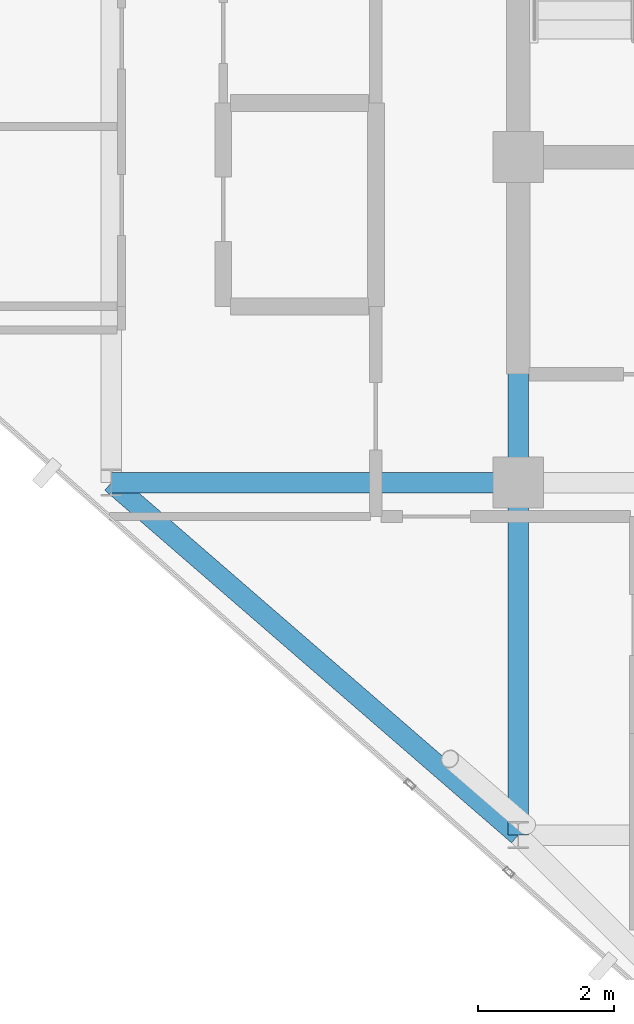
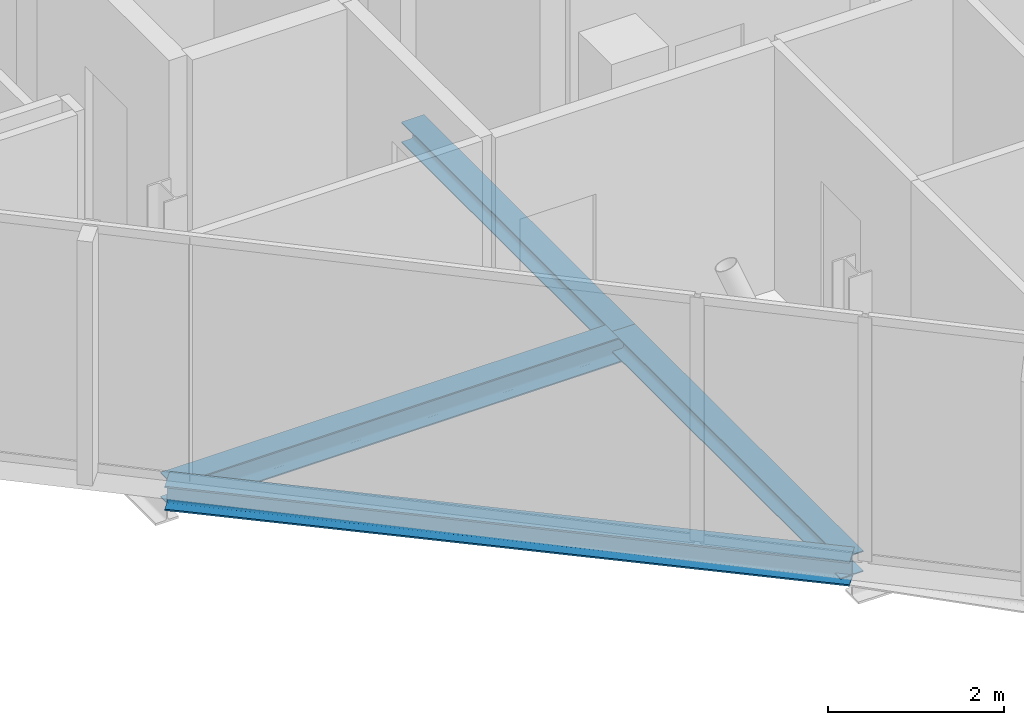
# One storey, part 5 of 30: 4 beams.
"""IFC4 building model written with IfcOpenShell, lengths in metres."""

from ifc_helpers import new_model, si_unit, direction, frame, origin, origin_2d, place, context, subcontext, project, spatial, i_section, extrude, material, material_profile, profile_set, type_object, element, save


model = new_model("IFC4")

# Units and contexts
model_context = context("Model", 3, precision=1e-05, world=origin(), true_north=direction((0.0, 1.0)))
body_context = subcontext(model_context, "Body", "Model", "MODEL_VIEW")
ifc_project = project(units=[si_unit("LENGTHUNIT", "METRE"), si_unit("AREAUNIT", "SQUARE_METRE"), si_unit("VOLUMEUNIT", "CUBIC_METRE"), si_unit("PLANEANGLEUNIT", "RADIAN"), si_unit("MASSUNIT", "GRAM", prefix="KILO")], contexts=[model_context])

# Site, building, storey
site_placement = place(None, origin())
site = spatial("IfcSite", under=ifc_project, at=site_placement, CompositionType="ELEMENT")
building_placement = place(site_placement, origin())
building = spatial("IfcBuilding", under=site, at=building_placement, Name="Keshet Zoharim Tower", CompositionType="ELEMENT")
storey_placement = place(building_placement, frame((0.0, 0.0, 280.60009765625)))
storey = spatial("IfcBuildingStorey", under=building, at=storey_placement, Name="L70", CompositionType="ELEMENT", Elevation=280.60009765625)

# Beams
ifc_material = material(Name="Steel S355", Category="steel")
ifc_material_profile_1 = material_profile(ifc_material, i_section(OverallWidth=0.300048828125, OverallDepth=0.2900390625, WebThickness=0.008544921875, FlangeThickness=0.013916015625, FilletRadius=0.027099609375, at=origin_2d()), Name="HEA300")
ifc_profile_set_1 = profile_set([ifc_material_profile_1], Name="Steel S355")
beam_type_1 = type_object("IfcBeamType", Name="BM-PRI-HA300", PredefinedType="BEAM", material=ifc_profile_set_1)
beam_1_placement = place(storey_placement, frame((15.0, 12.699951171875, -0.455078125), z_axis=(0.0, 1.0, 0.0), x_axis=(-1.0, 0.0, 0.0)))
element("IfcBeam", 1, at=beam_1_placement, inside=storey, type_object=beam_type_1, Name="L70 Primary Girder Y-002", PredefinedType="BEAM", context=body_context, shape_type="SweptSolid", body=[
    extrude(i_section(OverallWidth=0.300048828125, OverallDepth=0.2900390625, WebThickness=0.008544921875, FlangeThickness=0.013916015625, FilletRadius=0.027099609375, at=origin_2d()), origin(), (0.0, 0.0, 1.0), 5.199951171875),
])
beam_2_placement = place(storey_placement, frame((15.0, 17.89990234375, -0.455078125), z_axis=(0.0, 1.0, 0.0), x_axis=(-1.0, 0.0, 0.0)))
element("IfcBeam", 2, at=beam_2_placement, inside=storey, type_object=beam_type_1, Name="L70 Primary Girder Y-003", PredefinedType="BEAM", context=body_context, shape_type="SweptSolid", body=[
    extrude(i_section(OverallWidth=0.300048828125, OverallDepth=0.2900390625, WebThickness=0.008544921875, FlangeThickness=0.013916015625, FilletRadius=0.027099609375, at=origin_2d()), origin(), (0.0, 0.0, 1.0), 4.800048828125),
])
ifc_material_profile_2 = material_profile(ifc_material, i_section(OverallWidth=0.300048828125, OverallDepth=0.35009765625, WebThickness=0.010009765625, FlangeThickness=0.017578125, FilletRadius=0.027099609375, at=origin_2d()), Name="HEA360")
ifc_profile_set_2 = profile_set([ifc_material_profile_2], Name="Steel S355")
beam_type_2 = type_object("IfcBeamType", Name="BM-PRI-HA360", PredefinedType="BEAM", material=ifc_profile_set_2)
beam_3_placement = place(storey_placement, frame((9.0, 17.89990234375, -0.485107421875), z_axis=(1.0, 0.0, 0.0), x_axis=(0.0, 1.0, 0.0)))
element("IfcBeam", 3, at=beam_3_placement, inside=storey, type_object=beam_type_2, Name="L70 Primary Girder X-005", PredefinedType="BEAM", context=body_context, shape_type="SweptSolid", body=[
    extrude(i_section(OverallWidth=0.300048828125, OverallDepth=0.35009765625, WebThickness=0.010009765625, FlangeThickness=0.017578125, FilletRadius=0.027099609375, at=origin_2d()), origin(), (0.0, 0.0, 1.0), 6.0),
])
ifc_material_profile_3 = material_profile(ifc_material, i_section(OverallWidth=0.300048828125, OverallDepth=0.340087890625, WebThickness=0.011962890625, FlangeThickness=0.021484375, FilletRadius=0.027099609375, at=origin_2d()), Name="HEB340")
ifc_profile_set_3 = profile_set([ifc_material_profile_3], Name="Steel S355")
beam_type_3 = type_object("IfcBeamType", Name="BM-SPN-HB340", PredefinedType="SPANDREL", material=ifc_profile_set_3)
beam_4_placement = place(storey_placement, frame((9.0, 17.89990234375, -0.47998046875), z_axis=(0.755692126483, -0.654927026447, 0.0), x_axis=(0.654927026447, 0.755692126483, 0.0)))
element("IfcBeam", 4, at=beam_4_placement, inside=storey, type_object=beam_type_3, Name="L70 Perimeter Spandrel Beam 02", PredefinedType="SPANDREL", context=body_context, shape_type="SweptSolid", body=[
    extrude(i_section(OverallWidth=0.300048828125, OverallDepth=0.340087890625, WebThickness=0.011962890625, FlangeThickness=0.021484375, FilletRadius=0.027099609375, at=origin_2d()), origin(), (0.0, 0.0, 1.0), 7.939697265625),
])

save(model, "model.ifc")
